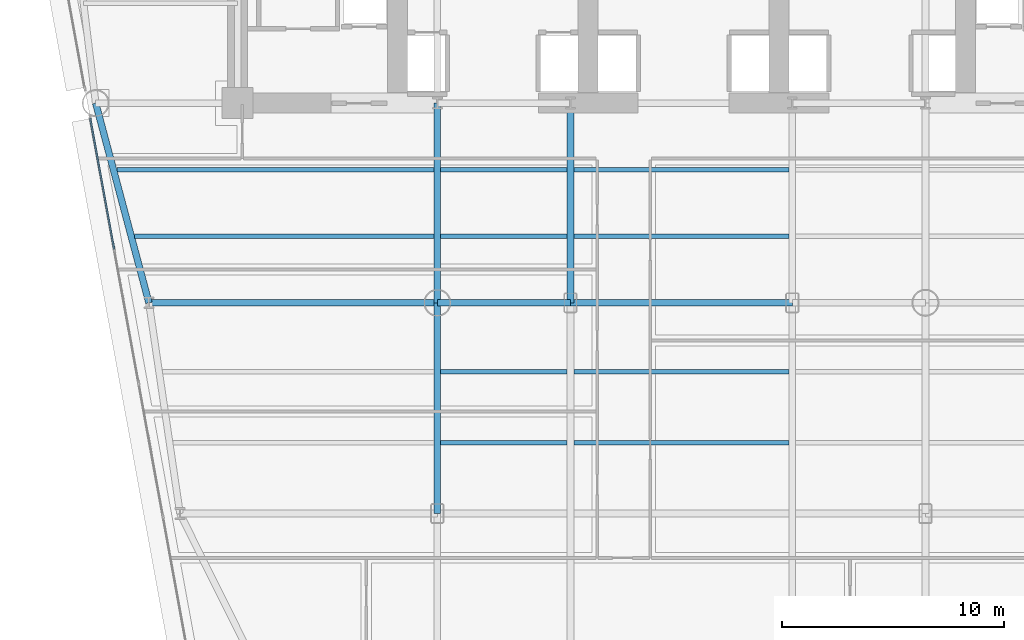
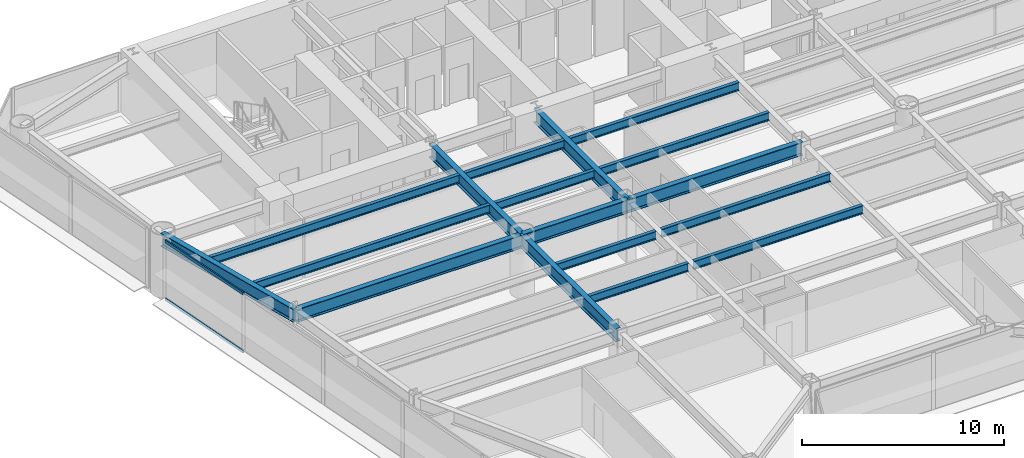
# One storey, part 3 of 14: 17 beams, 2 members, 1 element without a shape of its own.
"""IFC4 building model written with IfcOpenShell, lengths in metres."""

from ifc_helpers import new_model, si_unit, direction, frame, origin, origin_2d, place, context, subcontext, project, spatial, rectangle, i_section, extrude, source, transform, mapped, material, layer, layer_set, material_profile, profile_set, type_object, element, aggregate, save


model = new_model("IFC4")

# Units and contexts
model_context = context("Model", 3, precision=1e-05, world=origin(), true_north=direction((0.0, 1.0)))
body_context = subcontext(model_context, "Body", "Model", "MODEL_VIEW")
ifc_project = project(units=[si_unit("LENGTHUNIT", "METRE"), si_unit("AREAUNIT", "SQUARE_METRE"), si_unit("VOLUMEUNIT", "CUBIC_METRE"), si_unit("PLANEANGLEUNIT", "RADIAN"), si_unit("MASSUNIT", "GRAM", prefix="KILO")], contexts=[model_context])

# Site, building, storey
site_placement = place(None, origin())
site = spatial("IfcSite", under=ifc_project, at=site_placement, CompositionType="ELEMENT")
building_placement = place(site_placement, origin())
building = spatial("IfcBuilding", under=site, at=building_placement, Name="Vaeldorn Concourse Tower", CompositionType="ELEMENT")
storey_placement = place(building_placement, frame((0.0, 0.0, 75.800048828125)))
storey = spatial("IfcBuildingStorey", under=building, at=storey_placement, Name="L19", CompositionType="ELEMENT", Elevation=75.800048828125)

# Beams
ifc_material_1 = material(Name="Steel S355", Category="steel")
ifc_material_profile_1 = material_profile(ifc_material_1, i_section(OverallWidth=0.300048828125, OverallDepth=0.800048828125, WebThickness=0.017578125, FlangeThickness=0.032958984375, FilletRadius=0.030029296875, at=origin_2d()), Name="HEB 800")
ifc_profile_set_1 = profile_set([ifc_material_profile_1], Name="Steel S355")
beam_type_1 = type_object("IfcBeamType", Name="BM-PG-HEB800", PredefinedType="BEAM", material=ifc_profile_set_1)
shared_shape_1 = source(origin(), body_context, "Body", "SweptSolid", [
    extrude(i_section(OverallWidth=0.300048828125, OverallDepth=0.800048828125, WebThickness=0.017578125, FlangeThickness=0.032958984375, FilletRadius=0.030029296875, at=origin_2d()), origin(), (0.0, 0.0, 1.0), 6.0),
])
beam_1_placement = place(storey_placement, frame((23.0, 27.5, 3.179931640625), z_axis=(1.0, 0.0, 0.0), x_axis=(0.0, 1.0, 0.0)))
element("IfcBeam", 1, at=beam_1_placement, inside=storey, type_object=beam_type_1, Name="Beam BM-L19-C-TW1-C-TW2", PredefinedType="BEAM", context=body_context, shape_type="MappedRepresentation", body=[
    mapped(shared_shape_1, transform((0.0, 0.0, 0.0), scale=1.0)),
])
shared_shape_2 = source(origin(), body_context, "Body", "SweptSolid", [
    extrude(i_section(OverallWidth=0.300048828125, OverallDepth=0.800048828125, WebThickness=0.017578125, FlangeThickness=0.032958984375, FilletRadius=0.030029296875, at=origin_2d()), origin(), (0.0, 0.0, 1.0), 10.0),
])
beam_2_placement = place(storey_placement, frame((29.0, 27.5, 3.179931640625), z_axis=(1.0, 0.0, 0.0), x_axis=(0.0, 1.0, 0.0)))
element("IfcBeam", 2, at=beam_2_placement, inside=storey, type_object=beam_type_1, Name="Beam BM-L19-C-TW2-C-TW3", PredefinedType="BEAM", context=body_context, shape_type="MappedRepresentation", body=[
    mapped(shared_shape_2, transform((0.0, 0.0, 0.0), scale=1.0)),
])
shared_shape_3 = source(origin(), body_context, "Body", "SweptSolid", [
    extrude(i_section(OverallWidth=0.300048828125, OverallDepth=0.800048828125, WebThickness=0.017578125, FlangeThickness=0.032958984375, FilletRadius=0.030029296875, at=origin_2d()), origin(), (0.0, 0.0, 1.0), 9.0),
])
for number, where, z_axis, x_axis, name in (
    (3, (23.0, 27.5, 3.179931640625), (0.0, 1.0, 0.0), (-1.0, 0.0, 0.0), "Beam BM-L19-C-TW1-C-FC2"),
    (4, (29.0, 27.5, 3.179931640625), (0.0, 1.0, 0.0), (-1.0, 0.0, 0.0), "Beam BM-L19-C-TW2-C-FC3"),
):
    element("IfcBeam", number, at=place(storey_placement, frame(where, z_axis=z_axis, x_axis=x_axis)), inside=storey, type_object=beam_type_1, Name=name, PredefinedType="BEAM", context=body_context, shape_type="MappedRepresentation", body=[
        mapped(shared_shape_3, transform((0.0, 0.0, 0.0), scale=1.0)),
    ])
shared_shape_4 = source(origin(), body_context, "Body", "SweptSolid", [
    extrude(i_section(OverallWidth=0.300048828125, OverallDepth=0.800048828125, WebThickness=0.017578125, FlangeThickness=0.032958984375, FilletRadius=0.030029296875, at=origin_2d()), origin(), (0.0, 0.0, 1.0), 9.314453125),
])
beam_3_placement = place(storey_placement, frame((7.60009765625, 36.5, 3.179931640625), z_axis=(0.257652862255, -0.966237549763, 0.0), x_axis=(0.966237549763, 0.257652862255, 0.0)))
element("IfcBeam", 5, at=beam_3_placement, inside=storey, type_object=beam_type_1, Name="Beam BM-L19-C-NW2-C-FLW1", PredefinedType="BEAM", context=body_context, shape_type="MappedRepresentation", body=[
    mapped(shared_shape_4, transform((0.0, 0.0, 0.0), scale=1.0)),
])
shared_shape_5 = source(origin(), body_context, "Body", "SweptSolid", [
    extrude(i_section(OverallWidth=0.300048828125, OverallDepth=0.800048828125, WebThickness=0.017578125, FlangeThickness=0.032958984375, FilletRadius=0.030029296875, at=origin_2d()), origin(), (0.0, 0.0, 1.0), 13.0),
])
beam_4_placement = place(storey_placement, frame((10.0, 27.5, 3.179931640625), z_axis=(1.0, 0.0, 0.0), x_axis=(0.0, 1.0, 0.0)))
element("IfcBeam", 6, at=beam_4_placement, inside=storey, type_object=beam_type_1, Name="Beam BM-L19-C-FLW1-C-TW1", PredefinedType="BEAM", context=body_context, shape_type="MappedRepresentation", body=[
    mapped(shared_shape_5, transform((0.0, 0.0, 0.0), scale=1.0)),
])
shared_shape_6 = source(origin(), body_context, "Body", "SweptSolid", [
    extrude(i_section(OverallWidth=0.300048828125, OverallDepth=0.800048828125, WebThickness=0.017578125, FlangeThickness=0.032958984375, FilletRadius=0.030029296875, at=origin_2d()), origin(), (0.0, 0.0, 1.0), 9.5),
])
beam_5_placement = place(storey_placement, frame((23.0, 18.0, 3.179931640625), z_axis=(0.0, 1.0, 0.0), x_axis=(-1.0, 0.0, 0.0)))
element("IfcBeam", 7, at=beam_5_placement, inside=storey, type_object=beam_type_1, Name="Beam BM-L19-C-TW5-C-TW1", PredefinedType="BEAM", context=body_context, shape_type="MappedRepresentation", body=[
    mapped(shared_shape_6, transform((0.0, 0.0, 0.0), scale=1.0)),
])
ifc_material_profile_2 = material_profile(ifc_material_1, i_section(OverallWidth=0.199951171875, OverallDepth=0.5, WebThickness=0.01025390625, FlangeThickness=0.01611328125, FilletRadius=0.02099609375, at=origin_2d()), Name="IPE 500")
ifc_profile_set_2 = profile_set([ifc_material_profile_2], Name="Steel S355")
beam_type_2 = type_object("IfcBeamType", Name="BM-JS-IPE500", PredefinedType="JOIST", material=ifc_profile_set_2)
shared_shape_7 = source(origin(), body_context, "Body", "SweptSolid", [
    extrude(i_section(OverallWidth=0.199951171875, OverallDepth=0.5, WebThickness=0.01025390625, FlangeThickness=0.01611328125, FilletRadius=0.02099609375, at=origin_2d()), origin(), (0.0, 0.0, 1.0), 5.7001953125),
])
for number, where, z_axis, x_axis, name in (
    (8, (23.14990234375, 21.199951171875, 3.329833984375), (1.0, 0.0, 0.0), (0.0, 1.0, 0.0), "Beam JS-L19-W2-212"),
    (9, (23.14990234375, 24.39990234375, 3.329833984375), (1.0, 0.0, 0.0), (0.0, 1.0, 0.0), "Beam JS-L19-W2-244"),
    (10, (23.14990234375, 30.5, 3.329833984375), (1.0, 0.0, 0.0), (0.0, 1.0, 0.0), "Beam JS-L19-W2-305"),
    (11, (23.14990234375, 33.5, 3.329833984375), (1.0, 0.0, 0.0), (0.0, 1.0, 0.0), "Beam JS-L19-W2-335"),
):
    element("IfcBeam", number, at=place(storey_placement, frame(where, z_axis=z_axis, x_axis=x_axis)), inside=storey, type_object=beam_type_2, Name=name, PredefinedType="JOIST", context=body_context, shape_type="MappedRepresentation", body=[
        mapped(shared_shape_7, transform((0.0, 0.0, 0.0), scale=1.0)),
    ])
shared_shape_8 = source(origin(), body_context, "Body", "SweptSolid", [
    extrude(i_section(OverallWidth=0.199951171875, OverallDepth=0.5, WebThickness=0.01025390625, FlangeThickness=0.01611328125, FilletRadius=0.02099609375, at=origin_2d()), origin(), (0.0, 0.0, 1.0), 9.7001953125),
])
for number, where, z_axis, x_axis, name in (
    (12, (29.14990234375, 21.199951171875, 3.329833984375), (1.0, 0.0, 0.0), (0.0, 1.0, 0.0), "Beam JS-L19-C-212"),
    (13, (29.14990234375, 24.39990234375, 3.329833984375), (1.0, 0.0, 0.0), (0.0, 1.0, 0.0), "Beam JS-L19-C-244"),
    (14, (29.14990234375, 30.5, 3.329833984375), (1.0, 0.0, 0.0), (0.0, 1.0, 0.0), "Beam JS-L19-C-305"),
    (15, (29.14990234375, 33.5, 3.329833984375), (1.0, 0.0, 0.0), (0.0, 1.0, 0.0), "Beam JS-L19-C-335"),
):
    element("IfcBeam", number, at=place(storey_placement, frame(where, z_axis=z_axis, x_axis=x_axis)), inside=storey, type_object=beam_type_2, Name=name, PredefinedType="JOIST", context=body_context, shape_type="MappedRepresentation", body=[
        mapped(shared_shape_8, transform((0.0, 0.0, 0.0), scale=1.0)),
    ])
shared_shape_9 = source(origin(), body_context, "Body", "SweptSolid", [
    extrude(i_section(OverallWidth=0.199951171875, OverallDepth=0.5, WebThickness=0.01025390625, FlangeThickness=0.01611328125, FilletRadius=0.02099609375, at=origin_2d()), origin(), (0.0, 0.0, 1.0), 13.5),
])
beam_6_placement = place(storey_placement, frame((9.35009765625, 30.5, 3.329833984375), z_axis=(1.0, 0.0, 0.0), x_axis=(0.0, 1.0, 0.0)))
element("IfcBeam", 16, at=beam_6_placement, inside=storey, type_object=beam_type_2, Name="Beam JS-L19-W1-305", PredefinedType="JOIST", context=body_context, shape_type="MappedRepresentation", body=[
    mapped(shared_shape_9, transform((0.0, 0.0, 0.0), scale=1.0)),
])
shared_shape_10 = source(origin(), body_context, "Body", "SweptSolid", [
    extrude(i_section(OverallWidth=0.199951171875, OverallDepth=0.5, WebThickness=0.01025390625, FlangeThickness=0.01611328125, FilletRadius=0.02099609375, at=origin_2d()), origin(), (0.0, 0.0, 1.0), 14.300048828125),
])
beam_7_placement = place(storey_placement, frame((8.550048828125, 33.5, 3.329833984375), z_axis=(1.0, 0.0, 0.0), x_axis=(0.0, 1.0, 0.0)))
element("IfcBeam", 17, at=beam_7_placement, inside=storey, type_object=beam_type_2, Name="Beam JS-L19-W1-335", PredefinedType="JOIST", context=body_context, shape_type="MappedRepresentation", body=[
    mapped(shared_shape_10, transform((0.0, 0.0, 0.0), scale=1.0)),
])

# Curtain wall, members
ifc_material_2 = material(Name="Anodised Bronze Aluminium", Category="aluminium")
ifc_layer = layer(ifc_material_2, 0.219970703125)
ifc_layer_set = layer_set([ifc_layer], Name="Anodised Bronze Aluminium")
curtain_wall_type = type_object("IfcCurtainWallType", Name="CW-SYS-01", PredefinedType="NOTDEFINED", material=ifc_layer_set)
curtain_wall_placement = place(storey_placement, origin())
curtain_wall = element("IfcCurtainWall", 18, at=curtain_wall_placement, inside=storey, type_object=curtain_wall_type, Name="Unitised Curtain Wall CW-L19-E11-2", PredefinedType="NOTDEFINED")
ifc_material_profile_3 = material_profile(ifc_material_2, rectangle(XDim=0.074951171875, YDim=0.179931640625, at=origin_2d()), Name="CWT 75x180")
ifc_profile_set_3 = profile_set([ifc_material_profile_3], Name="Anodised Bronze Aluminium")
member_type = type_object("IfcMemberType", Name="CWT-BRONZE-180", PredefinedType="USERDEFINED", material=ifc_profile_set_3)
shared_shape_11 = source(origin(), body_context, "Body", "SweptSolid", [
    extrude(rectangle(XDim=0.074951171875, YDim=0.179931640625, at=origin_2d()), origin(), (0.0, 0.0, 1.0), 5.985595703125),
])
member_1_placement = place(storey_placement, frame((7.35595703125, 35.806640625, 0.037353515625), z_axis=(0.17975038977, -0.983712253343, 0.0), x_axis=(0.983712253343, 0.17975038977, 0.0)))
member_1 = element("IfcMember", 19, at=member_1_placement, type_object=member_type, Name="CW-01 transom 1.1", ObjectType="TRANSOM", PredefinedType="USERDEFINED", context=body_context, shape_type="MappedRepresentation", body=[
    mapped(shared_shape_11, transform((0.0, 0.0, 0.0), scale=1.0)),
])
member_2_placement = place(storey_placement, frame((7.35595703125, 35.806640625, 3.54248046875), z_axis=(0.17975038977, -0.983712253343, 0.0), x_axis=(0.983712253343, 0.17975038977, 0.0)))
member_2 = element("IfcMember", 20, at=member_2_placement, type_object=member_type, Name="CW-01 transom 1.2", ObjectType="TRANSOM", PredefinedType="USERDEFINED", context=body_context, shape_type="MappedRepresentation", body=[
    mapped(shared_shape_11, transform((0.0, 0.0, 0.0), scale=1.0)),
])
aggregate(curtain_wall, [member_1, member_2])

save(model, "model.ifc")
